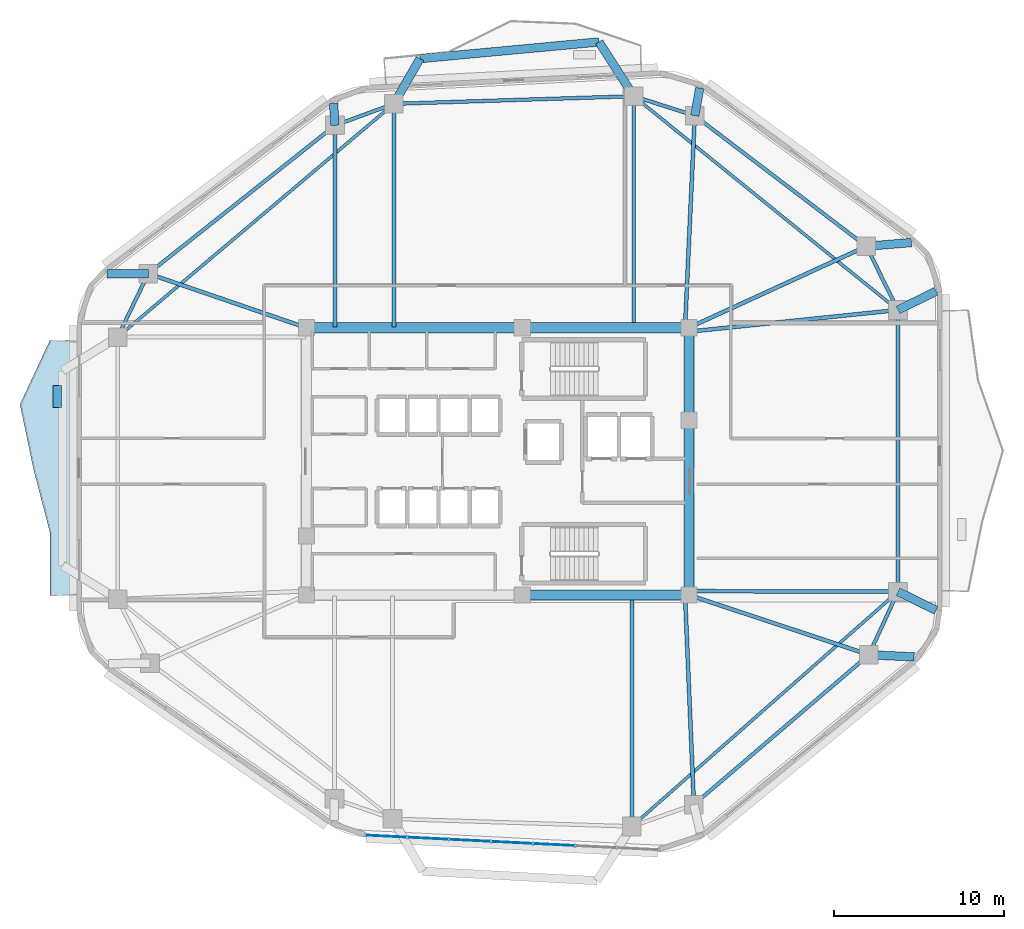
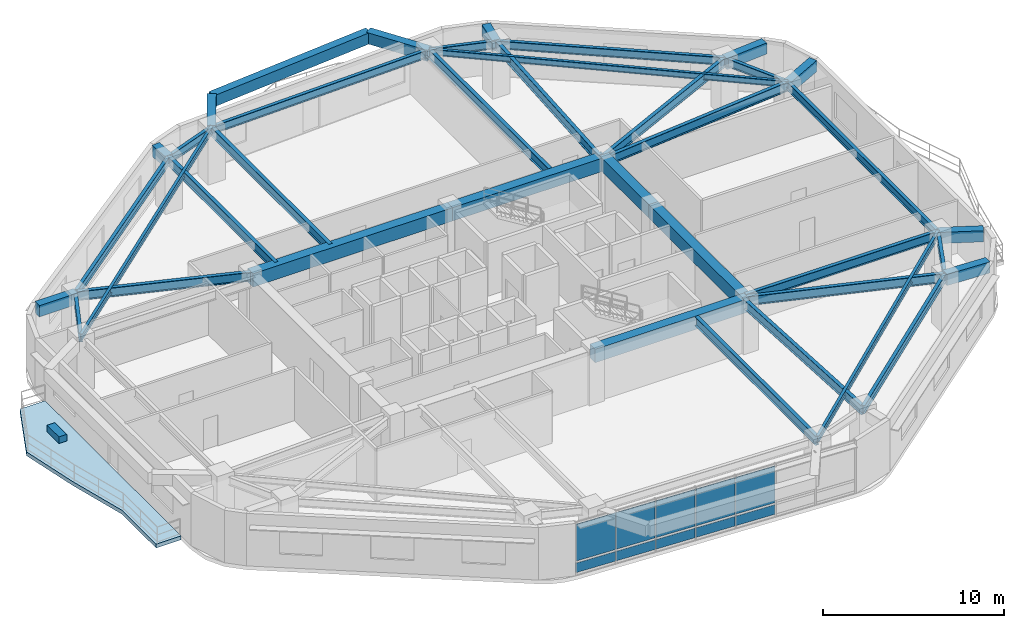
# One storey, part 7 of 14: 39 beams, 11 plates, 1 slab, 1 element without a shape of its own.
"""IFC4 building model written with IfcOpenShell, lengths in metres."""

from ifc_helpers import new_model, si_unit, direction, frame, origin, origin_2d, place, context, subcontext, project, spatial, polyline, rectangle, i_section, outline, extrude, material, layer, layer_set, material_profile, profile_set, type_object, element, aggregate, save


model = new_model("IFC4")

# Units and contexts
model_context = context("Model", 3, precision=1e-05, world=origin(), true_north=direction((0.0, 1.0)))
body_context = subcontext(model_context, "Body", "Model", "MODEL_VIEW")
ifc_project = project(units=[si_unit("LENGTHUNIT", "METRE"), si_unit("AREAUNIT", "SQUARE_METRE"), si_unit("VOLUMEUNIT", "CUBIC_METRE"), si_unit("PLANEANGLEUNIT", "RADIAN"), si_unit("MASSUNIT", "GRAM", prefix="KILO")], contexts=[model_context])

# Site, building, storey
site_placement = place(None, origin())
site = spatial("IfcSite", under=ifc_project, at=site_placement, CompositionType="ELEMENT")
building_placement = place(site_placement, origin())
building = spatial("IfcBuilding", under=site, at=building_placement, Name="Zulverin Broadcast Headquarters", CompositionType="ELEMENT")
storey_placement = place(building_placement, frame((0.0, 0.0, 140.199951171875)))
storey = spatial("IfcBuildingStorey", under=building, at=storey_placement, Name="L35", CompositionType="ELEMENT", Elevation=140.199951171875)

# Beams
ifc_material_1 = material(Name="Concrete C60/75", Category="concrete")
ifc_material_profile_1 = material_profile(ifc_material_1, rectangle(XDim=0.60009765625, YDim=0.89990234375, at=origin_2d()), Name="Concrete C60/75", Category="concrete")
ifc_profile_set_1 = profile_set([ifc_material_profile_1], Name="Concrete C60/75")
beam_type_1 = type_object("IfcBeamType", Name="BM-CB-600x900", PredefinedType="LINTEL", material=ifc_profile_set_1)
beam_1_placement = place(storey_placement, frame((38.449951171875, 17.324951171875, 3.090087890625), z_axis=(1.0, 0.0, 0.0), x_axis=(0.0, 1.0, 0.0)))
element("IfcBeam", 1, at=beam_1_placement, inside=storey, type_object=beam_type_1, Name="L35 Core Coupling Girder K02-K03", PredefinedType="LINTEL", context=body_context, shape_type="SweptSolid", body=[
    extrude(rectangle(XDim=0.60009765625, YDim=0.89990234375, at=origin_2d()), origin(), (0.0, 0.0, 1.0), 9.824951171875),
])
beam_2_placement = place(storey_placement, frame((48.27490234375, 17.324951171875, 3.090087890625), z_axis=(0.0, 1.0, 0.0), x_axis=(-1.0, 0.0, 0.0)))
element("IfcBeam", 2, at=beam_2_placement, inside=storey, type_object=beam_type_1, Name="L35 Core Coupling Girder K03-K04", PredefinedType="LINTEL", context=body_context, shape_type="SweptSolid", body=[
    extrude(rectangle(XDim=0.60009765625, YDim=0.89990234375, at=origin_2d()), origin(), (0.0, 0.0, 1.0), 10.295166015625),
])
beam_3_placement = place(storey_placement, frame((48.27490234375, 27.6201171875, 3.090087890625), z_axis=(0.0, 1.0, 0.0), x_axis=(-1.0, 0.0, 0.0)))
element("IfcBeam", 3, at=beam_3_placement, inside=storey, type_object=beam_type_1, Name="L35 Core Coupling Girder K04-K05", PredefinedType="LINTEL", context=body_context, shape_type="SweptSolid", body=[
    extrude(rectangle(XDim=0.60009765625, YDim=0.89990234375, at=origin_2d()), origin(), (0.0, 0.0, 1.0), 5.454833984375),
])
beam_4_placement = place(storey_placement, frame((48.27490234375, 33.074951171875, 3.090087890625), z_axis=(-1.0, 0.0, 0.0), x_axis=(0.0, -1.0, 0.0)))
element("IfcBeam", 4, at=beam_4_placement, inside=storey, type_object=beam_type_1, Name="L35 Core Coupling Girder K05-K06", PredefinedType="LINTEL", context=body_context, shape_type="SweptSolid", body=[
    extrude(rectangle(XDim=0.60009765625, YDim=0.89990234375, at=origin_2d()), origin(), (0.0, 0.0, 1.0), 9.824951171875),
])
beam_5_placement = place(storey_placement, frame((38.449951171875, 33.074951171875, 3.090087890625), z_axis=(-1.0, 0.0, 0.0), x_axis=(0.0, -1.0, 0.0)))
element("IfcBeam", 5, at=beam_5_placement, inside=storey, type_object=beam_type_1, Name="L35 Core Coupling Girder K06-K07", PredefinedType="LINTEL", context=body_context, shape_type="SweptSolid", body=[
    extrude(rectangle(XDim=0.60009765625, YDim=0.89990234375, at=origin_2d()), origin(), (0.0, 0.0, 1.0), 12.724853515625),
])
ifc_material_2 = material(Name="Concrete C40/50", Category="concrete")
ifc_material_profile_2 = material_profile(ifc_material_2, rectangle(XDim=0.5, YDim=0.75, at=origin_2d()), Name="Concrete C40/50", Category="concrete")
ifc_profile_set_2 = profile_set([ifc_material_profile_2], Name="Concrete C40/50")
beam_type_2 = type_object("IfcBeamType", Name="BM-RC-500x750", PredefinedType="BEAM", material=ifc_profile_set_2)
beam_6_placement = place(storey_placement, frame((58.886962890625, 13.798095703125, 3.1650390625), z_axis=(0.998923539617, -0.046387088715, 0.0), x_axis=(0.046387088715, 0.998923539617, 0.0)))
element("IfcBeam", 6, at=beam_6_placement, inside=storey, type_object=beam_type_2, Name="L36 Plate Overhang Back-Spanned Beam OVR-04", PredefinedType="BEAM", context=body_context, shape_type="SweptSolid", body=[
    extrude(rectangle(XDim=0.5, YDim=0.75, at=origin_2d()), origin(), (0.0, 0.0, 1.0), 2.66845703125),
])
beam_7_placement = place(storey_placement, frame((60.60009765625, 17.519287109375, 3.1650390625), z_axis=(0.898215084613, -0.439556210027, 0.0), x_axis=(0.439556210027, 0.898215084613, 0.0)))
element("IfcBeam", 7, at=beam_7_placement, inside=storey, type_object=beam_type_2, Name="L36 Plate Overhang Back-Spanned Beam OVR-05", PredefinedType="BEAM", context=body_context, shape_type="SweptSolid", body=[
    extrude(rectangle(XDim=0.5, YDim=0.75, at=origin_2d()), origin(), (0.0, 0.0, 1.0), 2.5048828125),
])
beam_8_placement = place(storey_placement, frame((60.60009765625, 34.12158203125, 3.1650390625), z_axis=(0.89705908708, 0.441910617984, 0.0), x_axis=(-0.441910617984, 0.89705908708, 0.0)))
element("IfcBeam", 8, at=beam_8_placement, inside=storey, type_object=beam_type_2, Name="L36 Plate Overhang Back-Spanned Beam OVR-06", PredefinedType="BEAM", context=body_context, shape_type="SweptSolid", body=[
    extrude(rectangle(XDim=0.5, YDim=0.75, at=origin_2d()), origin(), (0.0, 0.0, 1.0), 2.50830078125),
])
beam_9_placement = place(storey_placement, frame((58.738037109375, 37.877685546875, 3.1650390625), z_axis=(0.996584209885, 0.082582762173, 0.0), x_axis=(-0.082582762173, 0.996584209885, 0.0)))
element("IfcBeam", 9, at=beam_9_placement, inside=storey, type_object=beam_type_2, Name="L36 Plate Overhang Back-Spanned Beam OVR-07", PredefinedType="BEAM", context=body_context, shape_type="SweptSolid", body=[
    extrude(rectangle(XDim=0.5, YDim=0.75, at=origin_2d()), origin(), (0.0, 0.0, 1.0), 2.66357421875),
])
beam_10_placement = place(storey_placement, frame((48.62158203125, 45.574951171875, 3.1650390625), z_axis=(0.176183868408, 0.984357274831, 0.0), x_axis=(-0.984357274831, 0.176183868408, 0.0)))
element("IfcBeam", 10, at=beam_10_placement, inside=storey, type_object=beam_type_2, Name="L36 Plate Overhang Back-Spanned Beam OVR-08", PredefinedType="BEAM", context=body_context, shape_type="SweptSolid", body=[
    extrude(rectangle(XDim=0.5, YDim=0.75, at=origin_2d()), origin(), (0.0, 0.0, 1.0), 1.654541015625),
])
beam_11_placement = place(storey_placement, frame((27.416259765625, 45.00439453125, 3.1650390625), z_axis=(-0.068312581643, 0.99766396707, 0.0), x_axis=(-0.99766396707, -0.068312581643, 0.0)))
element("IfcBeam", 11, at=beam_11_placement, inside=storey, type_object=beam_type_2, Name="L36 Plate Overhang Back-Spanned Beam OVR-11", PredefinedType="BEAM", context=body_context, shape_type="SweptSolid", body=[
    extrude(rectangle(XDim=0.5, YDim=0.75, at=origin_2d()), origin(), (0.0, 0.0, 1.0), 1.30078125),
])
beam_12_placement = place(storey_placement, frame((16.40869140625, 36.26806640625, 3.1650390625), z_axis=(-0.999988487108, -0.004798505187, 0.0), x_axis=(0.004798505187, -0.999988487108, 0.0)))
element("IfcBeam", 12, at=beam_12_placement, inside=storey, type_object=beam_type_2, Name="L36 Plate Overhang Back-Spanned Beam OVR-12", PredefinedType="BEAM", context=body_context, shape_type="SweptSolid", body=[
    extrude(rectangle(XDim=0.5, YDim=0.75, at=origin_2d()), origin(), (0.0, 0.0, 1.0), 2.442138671875),
])
beam_13_placement = place(storey_placement, frame((45.027587890625, 46.7236328125, 3.1650390625), z_axis=(-0.539740838151, 0.84183123465, 0.0), x_axis=(-0.84183123465, -0.539740838151, 0.0)))
element("IfcBeam", 13, at=beam_13_placement, inside=storey, type_object=beam_type_2, Name="L36 Balcony Column-Framed Cantilever BAL_N-1", PredefinedType="BEAM", context=body_context, shape_type="SweptSolid", body=[
    extrude(rectangle(XDim=0.5, YDim=0.75, at=origin_2d()), origin(), (0.0, 0.0, 1.0), 3.800048828125),
])
beam_14_placement = place(storey_placement, frame((30.882080078125, 46.27490234375, 3.1650390625), z_axis=(0.500216804132, 0.865900195672, 0.0), x_axis=(-0.865900195672, 0.500216804132, 0.0)))
element("IfcBeam", 14, at=beam_14_placement, inside=storey, type_object=beam_type_2, Name="L36 Balcony Column-Framed Cantilever BAL_N-2", PredefinedType="BEAM", context=body_context, shape_type="SweptSolid", body=[
    extrude(rectangle(XDim=0.5, YDim=0.75, at=origin_2d()), origin(), (0.0, 0.0, 1.0), 3.077880859375),
])
beam_15_placement = place(storey_placement, frame((42.9765625, 49.922607421875, 3.1650390625), z_axis=(-0.995694149469, -0.092699302653, 0.0), x_axis=(0.092699302653, -0.995694149469, 0.0)))
element("IfcBeam", 15, at=beam_15_placement, inside=storey, type_object=beam_type_2, Name="L36 Balcony Outer Edge Trimmer Beam BAL_N", PredefinedType="BEAM", context=body_context, shape_type="SweptSolid", body=[
    extrude(rectangle(XDim=0.5, YDim=0.75, at=origin_2d()), origin(), (0.0, 0.0, 1.0), 10.6005859375),
])
ifc_material_3 = material(Name="Structural steel S355JR", Category="steel")
ifc_material_profile_3 = material_profile(ifc_material_3, i_section(OverallWidth=0.179443359375, OverallDepth=0.412841796875, WebThickness=0.009521484375, FlangeThickness=0.01611328125, at=origin_2d()), Name="Structural steel S355JR", Category="steel")
ifc_profile_set_3 = profile_set([ifc_material_profile_3], Name="Structural steel S355JR")
beam_type_3 = type_object("IfcBeamType", Name="BM-UB-406", PredefinedType="JOIST", material=ifc_profile_set_3)
beam_16_placement = place(storey_placement, frame((44.909912109375, 3.68017578125, 3.333740234375), z_axis=(0.74996043981, 0.661482682102, 0.0), x_axis=(-0.661482682102, 0.74996043981, 0.0)))
element("IfcBeam", 16, at=beam_16_placement, inside=storey, type_object=beam_type_3, Name="L35 Chordal Floor Joist J-01", PredefinedType="JOIST", context=body_context, shape_type="SweptSolid", body=[
    extrude(i_section(OverallWidth=0.179443359375, OverallDepth=0.412841796875, WebThickness=0.009521484375, FlangeThickness=0.01611328125, at=origin_2d()), origin(), (0.0, 0.0, 1.0), 20.92138671875),
])
beam_17_placement = place(storey_placement, frame((60.60009765625, 34.12158203125, 3.333740234375), z_axis=(-0.777349017335, 0.629069555175, 0.0), x_axis=(-0.629069555175, -0.777349017335, 0.0)))
element("IfcBeam", 17, at=beam_17_placement, inside=storey, type_object=beam_type_3, Name="L35 Chordal Floor Joist J-02", PredefinedType="JOIST", context=body_context, shape_type="SweptSolid", body=[
    extrude(i_section(OverallWidth=0.179443359375, OverallDepth=0.412841796875, WebThickness=0.009521484375, FlangeThickness=0.01611328125, at=origin_2d()), origin(), (0.0, 0.0, 1.0), 20.032958984375),
])
beam_18_placement = place(storey_placement, frame((30.882080078125, 46.27490234375, 3.333740234375), z_axis=(-0.763972566446, -0.645248725468, 0.0), x_axis=(0.645248725468, -0.763972566446, 0.0)))
element("IfcBeam", 18, at=beam_18_placement, inside=storey, type_object=beam_type_3, Name="L35 Chordal Floor Joist J-03", PredefinedType="JOIST", context=body_context, shape_type="SweptSolid", body=[
    extrude(i_section(OverallWidth=0.179443359375, OverallDepth=0.412841796875, WebThickness=0.009521484375, FlangeThickness=0.01611328125, at=origin_2d()), origin(), (0.0, 0.0, 1.0), 21.312255859375),
])
ifc_material_profile_4 = material_profile(ifc_material_3, i_section(OverallWidth=0.2119140625, OverallDepth=0.54443359375, WebThickness=0.0126953125, FlangeThickness=0.021240234375, at=origin_2d()), Name="Structural steel S355JR", Category="steel")
ifc_profile_set_4 = profile_set([ifc_material_profile_4], Name="Structural steel S355JR")
beam_type_4 = type_object("IfcBeamType", Name="BM-UB-533", PredefinedType="SPANDREL", material=ifc_profile_set_4)
beam_19_placement = place(storey_placement, frame((48.569580078125, 4.967041015625, 3.267822265625), z_axis=(0.759708170965, 0.650264173217, 0.0), x_axis=(-0.650264173217, 0.759708170965, 0.0)))
element("IfcBeam", 19, at=beam_19_placement, inside=storey, type_object=beam_type_4, Name="L35 Perimeter Spandrel Beam SP-03", PredefinedType="SPANDREL", context=body_context, shape_type="SweptSolid", body=[
    extrude(i_section(OverallWidth=0.2119140625, OverallDepth=0.54443359375, WebThickness=0.0126953125, FlangeThickness=0.021240234375, at=origin_2d()), origin(), (0.0, 0.0, 1.0), 13.580810546875),
])
beam_20_placement = place(storey_placement, frame((58.886962890625, 13.798095703125, 3.267822265625), z_axis=(0.418184975358, 0.90836189175, 0.0), x_axis=(-0.90836189175, 0.418184975358, 0.0)))
element("IfcBeam", 20, at=beam_20_placement, inside=storey, type_object=beam_type_4, Name="L35 Perimeter Spandrel Beam SP-04", PredefinedType="SPANDREL", context=body_context, shape_type="SweptSolid", body=[
    extrude(i_section(OverallWidth=0.2119140625, OverallDepth=0.54443359375, WebThickness=0.0126953125, FlangeThickness=0.021240234375, at=origin_2d()), origin(), (0.0, 0.0, 1.0), 4.0966796875),
])
beam_21_placement = place(storey_placement, frame((60.60009765625, 17.519287109375, 3.267822265625), z_axis=(0.0, 1.0, 0.0), x_axis=(-1.0, 0.0, 0.0)))
element("IfcBeam", 21, at=beam_21_placement, inside=storey, type_object=beam_type_4, Name="L35 Perimeter Spandrel Beam SP-05", PredefinedType="SPANDREL", context=body_context, shape_type="SweptSolid", body=[
    extrude(i_section(OverallWidth=0.2119140625, OverallDepth=0.54443359375, WebThickness=0.0126953125, FlangeThickness=0.021240234375, at=origin_2d()), origin(), (0.0, 0.0, 1.0), 16.602294921875),
])
beam_22_placement = place(storey_placement, frame((60.60009765625, 34.12158203125, 3.267822265625), z_axis=(-0.444159471033, 0.895947746407, 0.0), x_axis=(-0.895947746407, -0.444159471033, 0.0)))
element("IfcBeam", 22, at=beam_22_placement, inside=storey, type_object=beam_type_4, Name="L35 Perimeter Spandrel Beam SP-06", PredefinedType="SPANDREL", context=body_context, shape_type="SweptSolid", body=[
    extrude(i_section(OverallWidth=0.2119140625, OverallDepth=0.54443359375, WebThickness=0.0126953125, FlangeThickness=0.021240234375, at=origin_2d()), origin(), (0.0, 0.0, 1.0), 4.1923828125),
])
beam_23_placement = place(storey_placement, frame((58.738037109375, 37.877685546875, 3.267822265625), z_axis=(-0.795830102505, 0.60551998146, 0.0), x_axis=(-0.60551998146, -0.795830102505, 0.0)))
element("IfcBeam", 23, at=beam_23_placement, inside=storey, type_object=beam_type_4, Name="L35 Perimeter Spandrel Beam SP-07", PredefinedType="SPANDREL", context=body_context, shape_type="SweptSolid", body=[
    extrude(i_section(OverallWidth=0.2119140625, OverallDepth=0.54443359375, WebThickness=0.0126953125, FlangeThickness=0.021240234375, at=origin_2d()), origin(), (0.0, 0.0, 1.0), 12.7119140625),
])
beam_24_placement = place(storey_placement, frame((48.62158203125, 45.574951171875, 3.267822265625), z_axis=(-0.952531523781, 0.304439971428, 0.0), x_axis=(-0.304439971428, -0.952531523781, 0.0)))
element("IfcBeam", 24, at=beam_24_placement, inside=storey, type_object=beam_type_4, Name="L35 Perimeter Spandrel Beam SP-08", PredefinedType="SPANDREL", context=body_context, shape_type="SweptSolid", body=[
    extrude(i_section(OverallWidth=0.2119140625, OverallDepth=0.54443359375, WebThickness=0.0126953125, FlangeThickness=0.021240234375, at=origin_2d()), origin(), (0.0, 0.0, 1.0), 3.773193359375),
])
beam_25_placement = place(storey_placement, frame((45.027587890625, 46.7236328125, 3.267822265625), z_axis=(-0.999497221833, -0.031706522156, 0.0), x_axis=(0.031706522156, -0.999497221833, 0.0)))
element("IfcBeam", 25, at=beam_25_placement, inside=storey, type_object=beam_type_4, Name="L35 Perimeter Spandrel Beam SP-09", PredefinedType="SPANDREL", context=body_context, shape_type="SweptSolid", body=[
    extrude(i_section(OverallWidth=0.2119140625, OverallDepth=0.54443359375, WebThickness=0.0126953125, FlangeThickness=0.021240234375, at=origin_2d()), origin(), (0.0, 0.0, 1.0), 14.152587890625),
])
beam_26_placement = place(storey_placement, frame((30.882080078125, 46.27490234375, 3.267822265625), z_axis=(-0.938901965426, -0.344184687805, 0.0), x_axis=(0.344184687805, -0.938901965426, 0.0)))
element("IfcBeam", 26, at=beam_26_placement, inside=storey, type_object=beam_type_4, Name="L35 Perimeter Spandrel Beam SP-10", PredefinedType="SPANDREL", context=body_context, shape_type="SweptSolid", body=[
    extrude(i_section(OverallWidth=0.2119140625, OverallDepth=0.54443359375, WebThickness=0.0126953125, FlangeThickness=0.021240234375, at=origin_2d()), origin(), (0.0, 0.0, 1.0), 3.69140625),
])
beam_27_placement = place(storey_placement, frame((27.416259765625, 45.00439453125, 3.267822265625), z_axis=(-0.783283263401, -0.621664965457, 0.0), x_axis=(0.621664965457, -0.783283263401, 0.0)))
element("IfcBeam", 27, at=beam_27_placement, inside=storey, type_object=beam_type_4, Name="L35 Perimeter Spandrel Beam SP-11", PredefinedType="SPANDREL", context=body_context, shape_type="SweptSolid", body=[
    extrude(i_section(OverallWidth=0.2119140625, OverallDepth=0.54443359375, WebThickness=0.0126953125, FlangeThickness=0.021240234375, at=origin_2d()), origin(), (0.0, 0.0, 1.0), 14.05322265625),
])
beam_28_placement = place(storey_placement, frame((16.40869140625, 36.26806640625, 3.267822265625), z_axis=(-0.434890248034, -0.900483465792, 0.0), x_axis=(0.900483465792, -0.434890248034, 0.0)))
element("IfcBeam", 28, at=beam_28_placement, inside=storey, type_object=beam_type_4, Name="L35 Perimeter Spandrel Beam SP-12", PredefinedType="SPANDREL", context=body_context, shape_type="SweptSolid", body=[
    extrude(i_section(OverallWidth=0.2119140625, OverallDepth=0.54443359375, WebThickness=0.0126953125, FlangeThickness=0.021240234375, at=origin_2d()), origin(), (0.0, 0.0, 1.0), 4.15869140625),
])
ifc_material_profile_5 = material_profile(ifc_material_3, i_section(OverallWidth=0.230224609375, OverallDepth=0.6171875, WebThickness=0.01318359375, FlangeThickness=0.022216796875, at=origin_2d()), Name="Structural steel S355JR", Category="steel")
ifc_profile_set_5 = profile_set([ifc_material_profile_5], Name="Structural steel S355JR")
beam_type_5 = type_object("IfcBeamType", Name="BM-UB-610", PredefinedType="BEAM", material=ifc_profile_set_5)
beam_29_placement = place(storey_placement, frame((44.909912109375, 17.27490234375, 3.2314453125), z_axis=(0.0, -1.0, 0.0), x_axis=(1.0, 0.0, 0.0)))
element("IfcBeam", 29, at=beam_29_placement, inside=storey, type_object=beam_type_5, Name="L35 Radial Primary Floor Beam RB-02", PredefinedType="BEAM", context=body_context, shape_type="SweptSolid", body=[
    extrude(i_section(OverallWidth=0.230224609375, OverallDepth=0.6171875, WebThickness=0.01318359375, FlangeThickness=0.022216796875, at=origin_2d()), origin(), (0.0, 0.0, 1.0), 13.5947265625),
])
beam_30_placement = place(storey_placement, frame((48.050048828125, 17.27490234375, 3.2314453125), z_axis=(0.042173778549, -0.99911029041, 0.0), x_axis=(0.99911029041, 0.042173778549, 0.0)))
element("IfcBeam", 30, at=beam_30_placement, inside=storey, type_object=beam_type_5, Name="L35 Radial Primary Floor Beam RB-03", PredefinedType="BEAM", context=body_context, shape_type="SweptSolid", body=[
    extrude(i_section(OverallWidth=0.230224609375, OverallDepth=0.6171875, WebThickness=0.01318359375, FlangeThickness=0.022216796875, at=origin_2d()), origin(), (0.0, 0.0, 1.0), 12.31884765625),
])
beam_31_placement = place(storey_placement, frame((48.27490234375, 17.324951171875, 3.2314453125), z_axis=(0.948964552547, -0.315382748432, 0.0), x_axis=(0.315382748432, 0.948964552547, 0.0)))
element("IfcBeam", 31, at=beam_31_placement, inside=storey, type_object=beam_type_5, Name="L35 Radial Primary Floor Beam RB-04", PredefinedType="BEAM", context=body_context, shape_type="SweptSolid", body=[
    extrude(i_section(OverallWidth=0.230224609375, OverallDepth=0.6171875, WebThickness=0.01318359375, FlangeThickness=0.022216796875, at=origin_2d()), origin(), (0.0, 0.0, 1.0), 11.182861328125),
])
beam_32_placement = place(storey_placement, frame((48.324951171875, 17.550048828125, 3.2314453125), z_axis=(0.999996859956, -0.002506008559, 0.0), x_axis=(0.002506008559, 0.999996859956, 0.0)))
element("IfcBeam", 32, at=beam_32_placement, inside=storey, type_object=beam_type_5, Name="L35 Radial Primary Floor Beam RB-05", PredefinedType="BEAM", context=body_context, shape_type="SweptSolid", body=[
    extrude(i_section(OverallWidth=0.230224609375, OverallDepth=0.6171875, WebThickness=0.01318359375, FlangeThickness=0.022216796875, at=origin_2d()), origin(), (0.0, 0.0, 1.0), 12.275146484375),
])
beam_33_placement = place(storey_placement, frame((48.324951171875, 32.85009765625, 3.2314453125), z_axis=(0.994678169641, 0.103030766473, 0.0), x_axis=(-0.103030766473, 0.994678169641, 0.0)))
element("IfcBeam", 33, at=beam_33_placement, inside=storey, type_object=beam_type_5, Name="L35 Radial Primary Floor Beam RB-06", PredefinedType="BEAM", context=body_context, shape_type="SweptSolid", body=[
    extrude(i_section(OverallWidth=0.230224609375, OverallDepth=0.6171875, WebThickness=0.01318359375, FlangeThickness=0.022216796875, at=origin_2d()), origin(), (0.0, 0.0, 1.0), 12.3408203125),
])
beam_34_placement = place(storey_placement, frame((48.27490234375, 33.074951171875, 3.2314453125), z_axis=(0.90883007293, 0.417166511764, 0.0), x_axis=(-0.417166511764, 0.90883007293, 0.0)))
element("IfcBeam", 34, at=beam_34_placement, inside=storey, type_object=beam_type_5, Name="L35 Radial Primary Floor Beam RB-07", PredefinedType="BEAM", context=body_context, shape_type="SweptSolid", body=[
    extrude(i_section(OverallWidth=0.230224609375, OverallDepth=0.6171875, WebThickness=0.01318359375, FlangeThickness=0.022216796875, at=origin_2d()), origin(), (0.0, 0.0, 1.0), 11.5126953125),
])
beam_35_placement = place(storey_placement, frame((48.050048828125, 33.125, 3.2314453125), z_axis=(0.045858166026, 0.998947960911, 0.0), x_axis=(-0.998947960911, 0.045858166026, 0.0)))
element("IfcBeam", 35, at=beam_35_placement, inside=storey, type_object=beam_type_5, Name="L35 Radial Primary Floor Beam RB-08", PredefinedType="BEAM", context=body_context, shape_type="SweptSolid", body=[
    extrude(i_section(OverallWidth=0.230224609375, OverallDepth=0.6171875, WebThickness=0.01318359375, FlangeThickness=0.022216796875, at=origin_2d()), origin(), (0.0, 0.0, 1.0), 12.463134765625),
])
beam_36_placement = place(storey_placement, frame((45.027587890625, 33.125, 3.2314453125), z_axis=(0.0, 1.0, 0.0), x_axis=(-1.0, 0.0, 0.0)))
element("IfcBeam", 36, at=beam_36_placement, inside=storey, type_object=beam_type_5, Name="L35 Radial Primary Floor Beam RB-09", PredefinedType="BEAM", context=body_context, shape_type="SweptSolid", body=[
    extrude(i_section(OverallWidth=0.230224609375, OverallDepth=0.6171875, WebThickness=0.01318359375, FlangeThickness=0.022216796875, at=origin_2d()), origin(), (0.0, 0.0, 1.0), 13.5986328125),
])
beam_37_placement = place(storey_placement, frame((30.882080078125, 33.125, 3.2314453125), z_axis=(0.0, 1.0, 0.0), x_axis=(-1.0, 0.0, 0.0)))
element("IfcBeam", 37, at=beam_37_placement, inside=storey, type_object=beam_type_5, Name="L35 Radial Primary Floor Beam RB-10", PredefinedType="BEAM", context=body_context, shape_type="SweptSolid", body=[
    extrude(i_section(OverallWidth=0.230224609375, OverallDepth=0.6171875, WebThickness=0.01318359375, FlangeThickness=0.022216796875, at=origin_2d()), origin(), (0.0, 0.0, 1.0), 13.14990234375),
])
beam_38_placement = place(storey_placement, frame((27.416259765625, 33.125, 3.2314453125), z_axis=(0.0, 1.0, 0.0), x_axis=(-1.0, 0.0, 0.0)))
element("IfcBeam", 38, at=beam_38_placement, inside=storey, type_object=beam_type_5, Name="L35 Radial Primary Floor Beam RB-11", PredefinedType="BEAM", context=body_context, shape_type="SweptSolid", body=[
    extrude(i_section(OverallWidth=0.230224609375, OverallDepth=0.6171875, WebThickness=0.01318359375, FlangeThickness=0.022216796875, at=origin_2d()), origin(), (0.0, 0.0, 1.0), 11.87939453125),
])
beam_39_placement = place(storey_placement, frame((25.72509765625, 33.074951171875, 3.2314453125), z_axis=(-0.945979621685, 0.324226086793, 0.0), x_axis=(-0.324226086793, -0.945979621685, 0.0)))
element("IfcBeam", 39, at=beam_39_placement, inside=storey, type_object=beam_type_5, Name="L35 Radial Primary Floor Beam RB-12", PredefinedType="BEAM", context=body_context, shape_type="SweptSolid", body=[
    extrude(i_section(OverallWidth=0.230224609375, OverallDepth=0.6171875, WebThickness=0.01318359375, FlangeThickness=0.022216796875, at=origin_2d()), origin(), (0.0, 0.0, 1.0), 9.848388671875),
])

# Curtain wall, plates
ifc_material_4 = material(Name="Waist wind-pressure unitised curtain wall", Category="aluminium")
curtain_wall_type = type_object("IfcCurtainWallType", Name="CW-TWR-WST", PredefinedType="USERDEFINED", material=ifc_material_4)
curtain_wall_placement = place(storey_placement, origin())
curtain_wall = element("IfcCurtainWall", 40, at=curtain_wall_placement, inside=storey, type_object=curtain_wall_type, Name="L35 Unitised Curtain Wall CW-L35-E1", ObjectType="UNITISED CURTAIN WALL", PredefinedType="USERDEFINED")
ifc_material_5 = material(Name="Low-E double-glazed pale-silver vision glass", Category="glass")
ifc_layer_1 = layer(ifc_material_5, 0.035888671875, Name="Low-E double-glazed pale-silver vision glass", Category="glass")
ifc_layer_set_1 = layer_set([ifc_layer_1], Name="Low-E double-glazed pale-silver vision glass")
plate_type_1 = type_object("IfcPlateType", Name="CW-PNL-GLZ", PredefinedType="CURTAIN_PANEL", material=ifc_layer_set_1)
plate_1_placement = place(storey_placement, frame((30.430419921875, 3.101806640625, 0.914794921875), z_axis=(0.0, 0.0, 1.0), x_axis=(0.99874387485, -0.050106610841, 0.0)))
plate_1 = element("IfcPlate", 41, at=plate_1_placement, type_object=plate_type_1, Name="CW-L35-E1 Vision Panel 00", PredefinedType="CURTAIN_PANEL", context=body_context, shape_type="SweptSolid", body=[
    extrude(rectangle(XDim=2.43603515625, YDim=0.035888671875, at=origin_2d()), origin(), (0.0, 0.0, 1.0), 2.4853515625),
])
plate_2_placement = place(storey_placement, frame((32.9033203125, 2.977783203125, 0.914794921875), z_axis=(0.0, 0.0, 1.0), x_axis=(0.99874387485, -0.050106610841, 0.0)))
plate_2 = element("IfcPlate", 42, at=plate_2_placement, type_object=plate_type_1, Name="CW-L35-E1 Vision Panel 01", PredefinedType="CURTAIN_PANEL", context=body_context, shape_type="SweptSolid", body=[
    extrude(rectangle(XDim=2.43603515625, YDim=0.035888671875, at=origin_2d()), origin(), (0.0, 0.0, 1.0), 2.4853515625),
])
plate_3_placement = place(storey_placement, frame((35.37646484375, 2.853759765625, 0.914794921875), z_axis=(0.0, 0.0, 1.0), x_axis=(0.99874387485, -0.050106610841, 0.0)))
plate_3 = element("IfcPlate", 43, at=plate_3_placement, type_object=plate_type_1, Name="CW-L35-E1 Vision Panel 02", PredefinedType="CURTAIN_PANEL", context=body_context, shape_type="SweptSolid", body=[
    extrude(rectangle(XDim=2.43603515625, YDim=0.035888671875, at=origin_2d()), origin(), (0.0, 0.0, 1.0), 2.4853515625),
])
plate_4_placement = place(storey_placement, frame((37.849365234375, 2.7294921875, 0.914794921875), z_axis=(0.0, 0.0, 1.0), x_axis=(0.99874387485, -0.050106610841, 0.0)))
plate_4 = element("IfcPlate", 44, at=plate_4_placement, type_object=plate_type_1, Name="CW-L35-E1 Vision Panel 03", PredefinedType="CURTAIN_PANEL", context=body_context, shape_type="SweptSolid", body=[
    extrude(rectangle(XDim=2.43603515625, YDim=0.035888671875, at=origin_2d()), origin(), (0.0, 0.0, 1.0), 2.4853515625),
])
plate_5_placement = place(storey_placement, frame((40.322509765625, 2.60546875, 0.914794921875), z_axis=(0.0, 0.0, 1.0), x_axis=(0.99874387485, -0.050106610841, 0.0)))
plate_5 = element("IfcPlate", 45, at=plate_5_placement, type_object=plate_type_1, Name="CW-L35-E1 Vision Panel 04", PredefinedType="CURTAIN_PANEL", context=body_context, shape_type="SweptSolid", body=[
    extrude(rectangle(XDim=2.43603515625, YDim=0.035888671875, at=origin_2d()), origin(), (0.0, 0.0, 1.0), 2.4853515625),
])
ifc_material_6 = material(Name="Insulated brushed pale-aluminium spandrel cassette", Category="aluminium")
ifc_layer_2 = layer(ifc_material_6, 0.050048828125, Name="Insulated brushed pale-aluminium spandrel cassette", Category="aluminium")
ifc_layer_set_2 = layer_set([ifc_layer_2], Name="Insulated brushed pale-aluminium spandrel cassette")
plate_type_2 = type_object("IfcPlateType", Name="CW-PNL-SPN", PredefinedType="CURTAIN_PANEL", material=ifc_layer_set_2)
plate_6_placement = place(storey_placement, frame((30.430419921875, 3.101806640625, 0.14013671875), z_axis=(0.0, 0.0, 1.0), x_axis=(0.99874387485, -0.050106610841, 0.0)))
plate_6 = element("IfcPlate", 46, at=plate_6_placement, type_object=plate_type_2, Name="CW-L35-E1 Spandrel Cassette 00", PredefinedType="CURTAIN_PANEL", context=body_context, shape_type="SweptSolid", body=[
    extrude(rectangle(XDim=2.43603515625, YDim=0.050048828125, at=origin_2d()), origin(), (0.0, 0.0, 1.0), 0.64453125),
])
plate_7_placement = place(storey_placement, frame((32.9033203125, 2.977783203125, 0.14013671875), z_axis=(0.0, 0.0, 1.0), x_axis=(0.99874387485, -0.050106610841, 0.0)))
plate_7 = element("IfcPlate", 47, at=plate_7_placement, type_object=plate_type_2, Name="CW-L35-E1 Spandrel Cassette 01", PredefinedType="CURTAIN_PANEL", context=body_context, shape_type="SweptSolid", body=[
    extrude(rectangle(XDim=2.43603515625, YDim=0.050048828125, at=origin_2d()), origin(), (0.0, 0.0, 1.0), 0.64453125),
])
plate_8_placement = place(storey_placement, frame((35.37646484375, 2.853759765625, 0.14013671875), z_axis=(0.0, 0.0, 1.0), x_axis=(0.99874387485, -0.050106610841, 0.0)))
plate_8 = element("IfcPlate", 48, at=plate_8_placement, type_object=plate_type_2, Name="CW-L35-E1 Spandrel Cassette 02", PredefinedType="CURTAIN_PANEL", context=body_context, shape_type="SweptSolid", body=[
    extrude(rectangle(XDim=2.43603515625, YDim=0.050048828125, at=origin_2d()), origin(), (0.0, 0.0, 1.0), 0.64453125),
])
plate_9_placement = place(storey_placement, frame((37.849365234375, 2.7294921875, 0.14013671875), z_axis=(0.0, 0.0, 1.0), x_axis=(0.99874387485, -0.050106610841, 0.0)))
plate_9 = element("IfcPlate", 49, at=plate_9_placement, type_object=plate_type_2, Name="CW-L35-E1 Spandrel Cassette 03", PredefinedType="CURTAIN_PANEL", context=body_context, shape_type="SweptSolid", body=[
    extrude(rectangle(XDim=2.43603515625, YDim=0.050048828125, at=origin_2d()), origin(), (0.0, 0.0, 1.0), 0.64453125),
])
plate_10_placement = place(storey_placement, frame((40.322509765625, 2.60546875, 0.14013671875), z_axis=(0.0, 0.0, 1.0), x_axis=(0.99874387485, -0.050106610841, 0.0)))
plate_10 = element("IfcPlate", 50, at=plate_10_placement, type_object=plate_type_2, Name="CW-L35-E1 Spandrel Cassette 04", PredefinedType="CURTAIN_PANEL", context=body_context, shape_type="SweptSolid", body=[
    extrude(rectangle(XDim=2.43603515625, YDim=0.050048828125, at=origin_2d()), origin(), (0.0, 0.0, 1.0), 0.64453125),
])
aggregate(curtain_wall, [plate_6, plate_1, plate_7, plate_2, plate_8, plate_3, plate_9, plate_4, plate_10, plate_5])

# Plate
ifc_material_7 = material(Name="Precast concrete C45/55", Category="concrete")
ifc_layer_3 = layer(ifc_material_7, 0.449951171875, Name="Precast concrete C45/55", Category="concrete")
ifc_layer_set_3 = layer_set([ifc_layer_3], Name="Precast concrete C45/55")
plate_type_3 = type_object("IfcPlateType", Name="PT-01_PRECAST_GFRC_TREE_PLANTER", PredefinedType="USERDEFINED", material=ifc_layer_set_3)
plate_11_placement = place(storey_placement, frame((11.050048828125, 29.011962890625, -0.0048828125), z_axis=(0.0, 0.0, 1.0), x_axis=(0.0, 1.0, 0.0)))
element("IfcPlate", 51, at=plate_11_placement, inside=storey, type_object=plate_type_3, Name="L35 Precast GFRC Tree Planter BAL_W", ObjectType="PLANTER", PredefinedType="USERDEFINED", context=body_context, shape_type="SweptSolid", body=[
    extrude(rectangle(XDim=1.300048828125, YDim=0.5, at=origin_2d()), origin(), (0.0, 0.0, 1.0), 0.449951171875),
])

# Slab
ifc_layer_4 = layer(ifc_material_2, 0.260009765625, Name="Concrete C40/50", Category="concrete")
ifc_layer_set_4 = layer_set([ifc_layer_4], Name="Concrete C40/50")
slab_type = type_object("IfcSlabType", Name="SLB-BAL-260", PredefinedType="FLOOR", material=ifc_layer_set_4)
slab_placement = place(storey_placement, frame((0.0, 0.0, -0.260009765625)))
element("IfcSlab", 52, at=slab_placement, inside=storey, type_object=slab_type, Name="L35 Cantilevered Planted Balcony Slab BAL_W", PredefinedType="FLOOR", context=body_context, shape_type="SweptSolid", body=[
    extrude(outline(polyline([(12.199951171875, 17.286865234375), (12.199951171875, 32.31884765625), (10.60009765625, 32.31884765625), (8.845947265625, 28.560791015625), (9.626953125, 24.802978515625), (10.60009765625, 21.044921875), (10.60009765625, 17.286865234375), (12.199951171875, 17.286865234375)])), origin(), (0.0, 0.0, 1.0), 0.260009765625),
])

save(model, "model.ifc")
